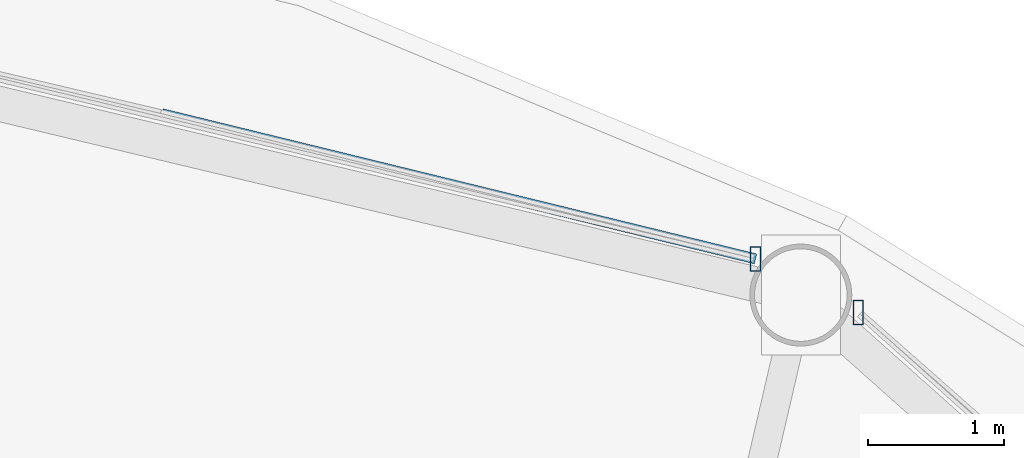
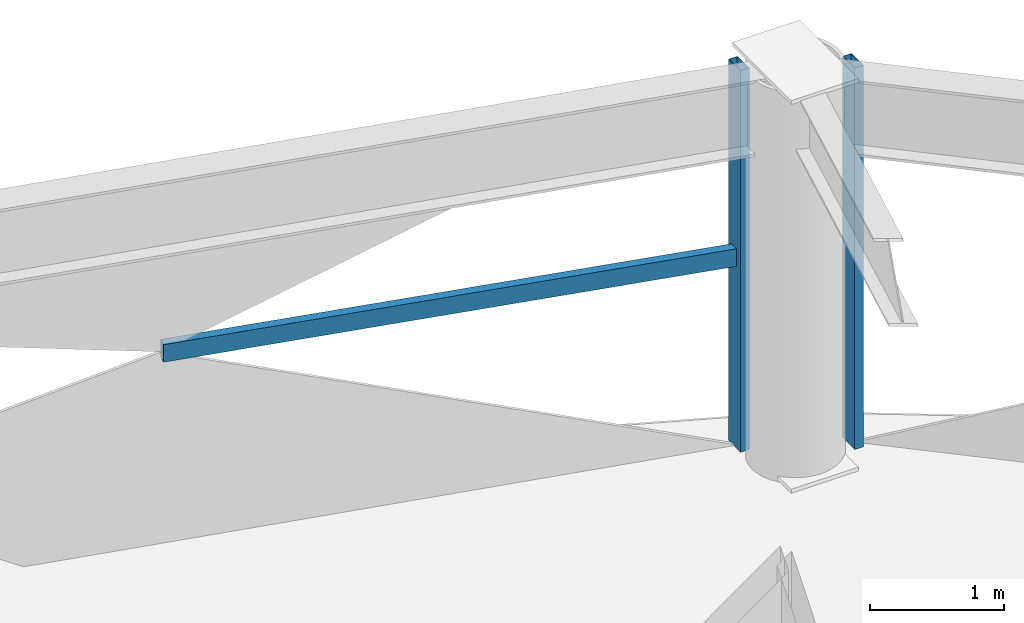
# One storey, part 20 of 29: 3 members, 2 elements without a shape of their own.
"""IFC4 building model written with IfcOpenShell, lengths in metres."""

from ifc_helpers import new_model, si_unit, direction, frame, origin, origin_2d, place, context, subcontext, project, spatial, hollow_rectangle, extrude, material, layer, layer_set, material_profile, profile_set, type_object, element, aggregate, save


model = new_model("IFC4")

# Units and contexts
model_context = context("Model", 3, precision=1e-05, world=origin(), true_north=direction((0.0, 1.0)))
body_context = subcontext(model_context, "Body", "Model", "MODEL_VIEW")
ifc_project = project(units=[si_unit("LENGTHUNIT", "METRE"), si_unit("AREAUNIT", "SQUARE_METRE"), si_unit("VOLUMEUNIT", "CUBIC_METRE"), si_unit("PLANEANGLEUNIT", "RADIAN"), si_unit("MASSUNIT", "GRAM", prefix="KILO")], contexts=[model_context])

# Site, building, storey
site_placement = place(None, origin())
site = spatial("IfcSite", under=ifc_project, at=site_placement, CompositionType="ELEMENT")
building_placement = place(site_placement, origin())
building = spatial("IfcBuilding", under=site, at=building_placement, Name="Vantalir Tower", CompositionType="ELEMENT")
storey_placement = place(building_placement, frame((0.0, 0.0, 168.449951171875)))
storey = spatial("IfcBuildingStorey", under=building, at=storey_placement, Name="L42", CompositionType="ELEMENT", Elevation=168.449951171875)

# Curtain wall, member
ifc_material_1 = material(Name="Champagne-silver PVDF aluminium and double-silver Low-E glass", Category="aluminium")
ifc_layer = layer(ifc_material_1, 0.199951171875)
ifc_layer_set = layer_set([ifc_layer], Name="Champagne-silver PVDF aluminium and double-silver Low-E glass")
curtain_wall_type = type_object("IfcCurtainWallType", Name="CW-DIAMOND-Z2", PredefinedType="USERDEFINED", material=ifc_layer_set)
curtain_wall_1_placement = place(storey_placement, origin())
curtain_wall_1 = element("IfcCurtainWall", 1, at=curtain_wall_1_placement, inside=storey, type_object=curtain_wall_type, Name="L42 Quilted Pyramid-Diamond Curtain Wall S02", ObjectType="UNITISED CURTAIN WALL", PredefinedType="USERDEFINED")
ifc_material_2 = material(Name="Champagne-silver PVDF aluminium 6063-T6", Category="aluminium")
ifc_material_profile_1 = material_profile(ifc_material_2, hollow_rectangle(XDim=0.074951171875, YDim=0.179931640625, WallThickness=0.00390625, at=origin_2d()), Name="Champagne-silver PVDF aluminium 6063-T6")
ifc_profile_set_1 = profile_set([ifc_material_profile_1], Name="Champagne-silver PVDF aluminium 6063-T6")
member_type_1 = type_object("IfcMemberType", Name="CWM-180x75", PredefinedType="MULLION", material=ifc_profile_set_1)
member_1_placement = place(storey_placement, frame((44.19091796875, 43.7919921875, 0.045166015625), z_axis=(0.0, 0.0, 1.0), x_axis=(1.0, 0.0, 0.0)))
member_1 = element("IfcMember", 2, at=member_1_placement, type_object=member_type_1, Name="CW-L42-S02 Mullion 2", PredefinedType="MULLION", context=body_context, shape_type="SweptSolid", body=[
    extrude(hollow_rectangle(XDim=0.074951171875, YDim=0.179931640625, WallThickness=0.00390625, at=origin_2d()), origin(), (0.0, 0.0, 1.0), 3.47998046875),
])
aggregate(curtain_wall_1, [member_1])

# Curtain wall, members
curtain_wall_2_placement = place(storey_placement, origin())
curtain_wall_2 = element("IfcCurtainWall", 3, at=curtain_wall_2_placement, inside=storey, type_object=curtain_wall_type, Name="L42 Quilted Pyramid-Diamond Curtain Wall S03", ObjectType="UNITISED CURTAIN WALL", PredefinedType="USERDEFINED")
member_2_placement = place(storey_placement, frame((43.43505859375, 44.18701171875, 0.045166015625), z_axis=(0.0, 0.0, 1.0), x_axis=(1.0, 0.0, 0.0)))
member_2 = element("IfcMember", 4, at=member_2_placement, type_object=member_type_1, Name="CW-L42-S03 Mullion 1", PredefinedType="MULLION", context=body_context, shape_type="SweptSolid", body=[
    extrude(hollow_rectangle(XDim=0.074951171875, YDim=0.179931640625, WallThickness=0.00390625, at=origin_2d()), origin(), (0.0, 0.0, 1.0), 3.47998046875),
])
ifc_material_profile_2 = material_profile(ifc_material_2, hollow_rectangle(XDim=0.074951171875, YDim=0.159912109375, WallThickness=0.00390625, at=origin_2d()), Name="Champagne-silver PVDF aluminium 6063-T6")
ifc_profile_set_2 = profile_set([ifc_material_profile_2], Name="Champagne-silver PVDF aluminium 6063-T6")
member_type_2 = type_object("IfcMemberType", Name="CWT-160x75", PredefinedType="USERDEFINED", material=ifc_profile_set_2)
member_3_placement = place(storey_placement, frame((43.43505859375, 44.18701171875, 1.78515625), z_axis=(-0.971392042196, 0.237481578987, 0.0), x_axis=(-0.237481578987, -0.971392042196, 0.0)))
member_3 = element("IfcMember", 5, at=member_3_placement, type_object=member_type_2, Name="CW-L42-S03 Pyramid Fold Ridge Transom", ObjectType="TRANSOM", PredefinedType="USERDEFINED", context=body_context, shape_type="SweptSolid", body=[
    extrude(hollow_rectangle(XDim=0.074951171875, YDim=0.159912109375, WallThickness=0.00390625, at=origin_2d()), origin(), (0.0, 0.0, 1.0), 4.492431640625),
])
aggregate(curtain_wall_2, [member_2, member_3])

save(model, "model.ifc")
